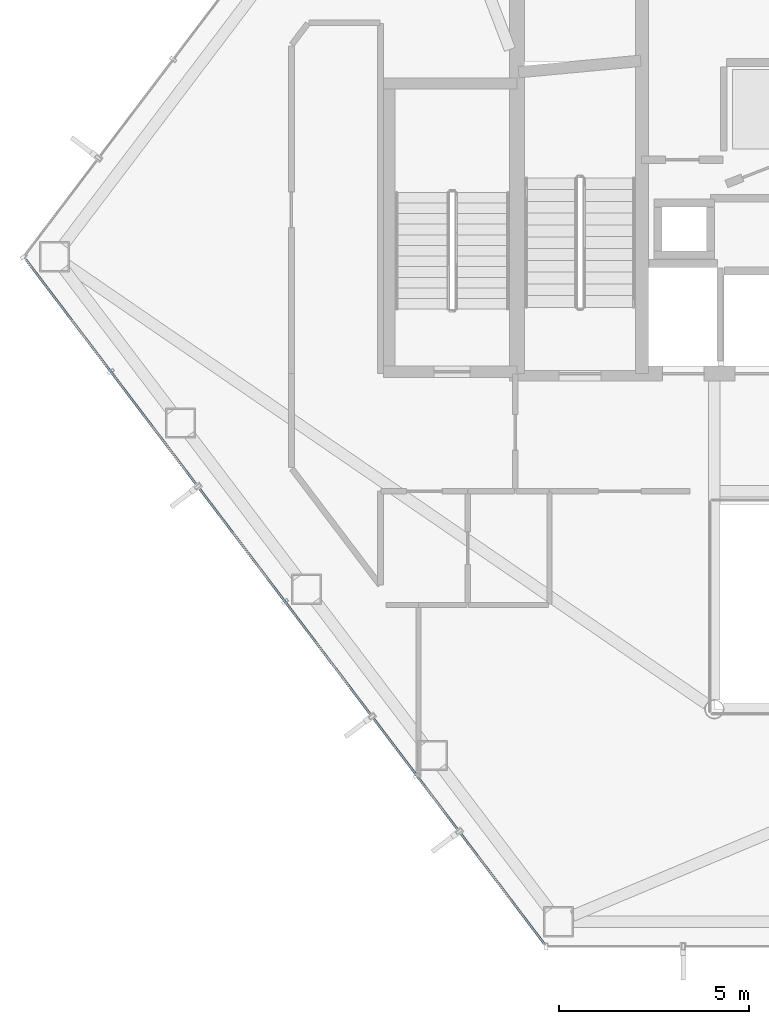
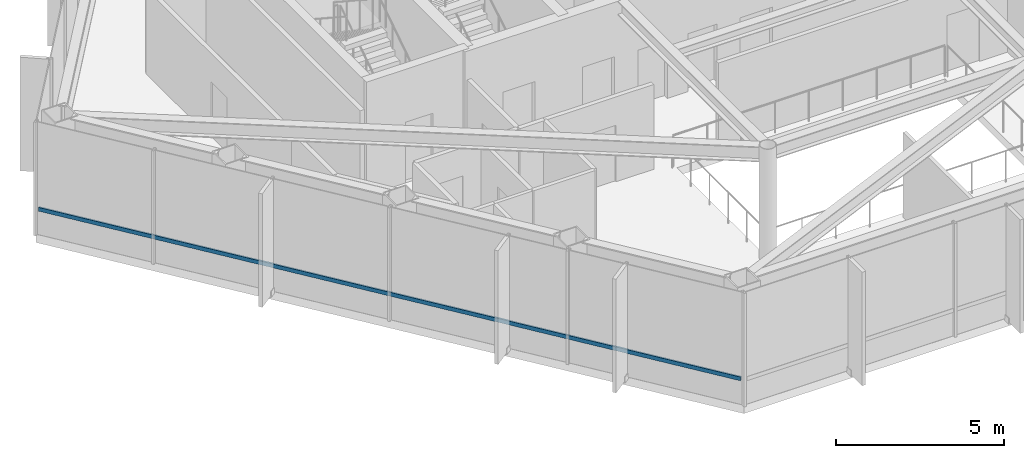
# One storey, part 3 of 27: 1 member, 1 element without a shape of its own.
"""IFC4 building model written with IfcOpenShell, lengths in metres."""

from ifc_helpers import new_model, si_unit, direction, frame, origin, origin_2d, place, context, subcontext, project, spatial, hollow_rectangle, extrude, material, layer, layer_set, material_profile, profile_set, type_object, element, aggregate, save


model = new_model("IFC4")

# Units and contexts
model_context = context("Model", 3, precision=1e-05, world=origin(), true_north=direction((0.0, 1.0)))
body_context = subcontext(model_context, "Body", "Model", "MODEL_VIEW")
ifc_project = project(units=[si_unit("LENGTHUNIT", "METRE"), si_unit("AREAUNIT", "SQUARE_METRE"), si_unit("VOLUMEUNIT", "CUBIC_METRE"), si_unit("PLANEANGLEUNIT", "RADIAN"), si_unit("MASSUNIT", "GRAM", prefix="KILO")], contexts=[model_context])

# Site, building, storey
site_placement = place(None, origin())
site = spatial("IfcSite", under=ifc_project, at=site_placement, CompositionType="ELEMENT")
building_placement = place(site_placement, origin())
building = spatial("IfcBuilding", under=site, at=building_placement, Name="Zarrinselat Tower", CompositionType="ELEMENT")
storey_placement = place(building_placement, frame((0.0, 0.0, 114.580078125)))
storey = spatial("IfcBuildingStorey", under=building, at=storey_placement, Name="L27", CompositionType="ELEMENT", Elevation=114.580078125)

# Curtain wall, member
ifc_material_1 = material(Name="Extruded Aluminium Alloy EN AW-6063 T6", Category="aluminium")
ifc_layer = layer(ifc_material_1, 0.195068359375)
ifc_layer_set = layer_set([ifc_layer], Name="Extruded Aluminium Alloy EN AW-6063 T6")
curtain_wall_type = type_object("IfcCurtainWallType", Name="CWS-GDN", PredefinedType="NOTDEFINED", material=ifc_layer_set)
curtain_wall_placement = place(storey_placement, origin())
curtain_wall = element("IfcCurtainWall", 1, at=curtain_wall_placement, inside=storey, type_object=curtain_wall_type, Name="L27 Unitised Curtain Wall CW-L27-E02", PredefinedType="NOTDEFINED")
ifc_material_2 = material(Name="Extruded Aluminium Alloy EN AW-6063 T6", Category="aluminium")
ifc_material_profile = material_profile(ifc_material_2, hollow_rectangle(XDim=0.06005859375, YDim=0.139892578125, WallThickness=0.00390625, at=origin_2d()), Name="RHS 140x60x4")
ifc_profile_set = profile_set([ifc_material_profile], Name="Extruded Aluminium Alloy EN AW-6063 T6")
member_type = type_object("IfcMemberType", Name="MEM-CW-TRN", PredefinedType="USERDEFINED", material=ifc_profile_set)
member_placement = place(storey_placement, frame((29.3134765625, 18.21875, 0.949951171875), z_axis=(-0.603856442177, 0.797093091954, 0.0), x_axis=(-0.797093091954, -0.603856442177, 0.0)))
member = element("IfcMember", 2, at=member_placement, type_object=member_type, Name="CW-L27-E02 Transom 1", ObjectType="TRANSOM", PredefinedType="USERDEFINED", context=body_context, shape_type="SweptSolid", body=[
    extrude(hollow_rectangle(XDim=0.06005859375, YDim=0.139892578125, WallThickness=0.00390625, at=origin_2d()), origin(), (0.0, 0.0, 1.0), 22.63818359375),
])
aggregate(curtain_wall, [member])

save(model, "model.ifc")
